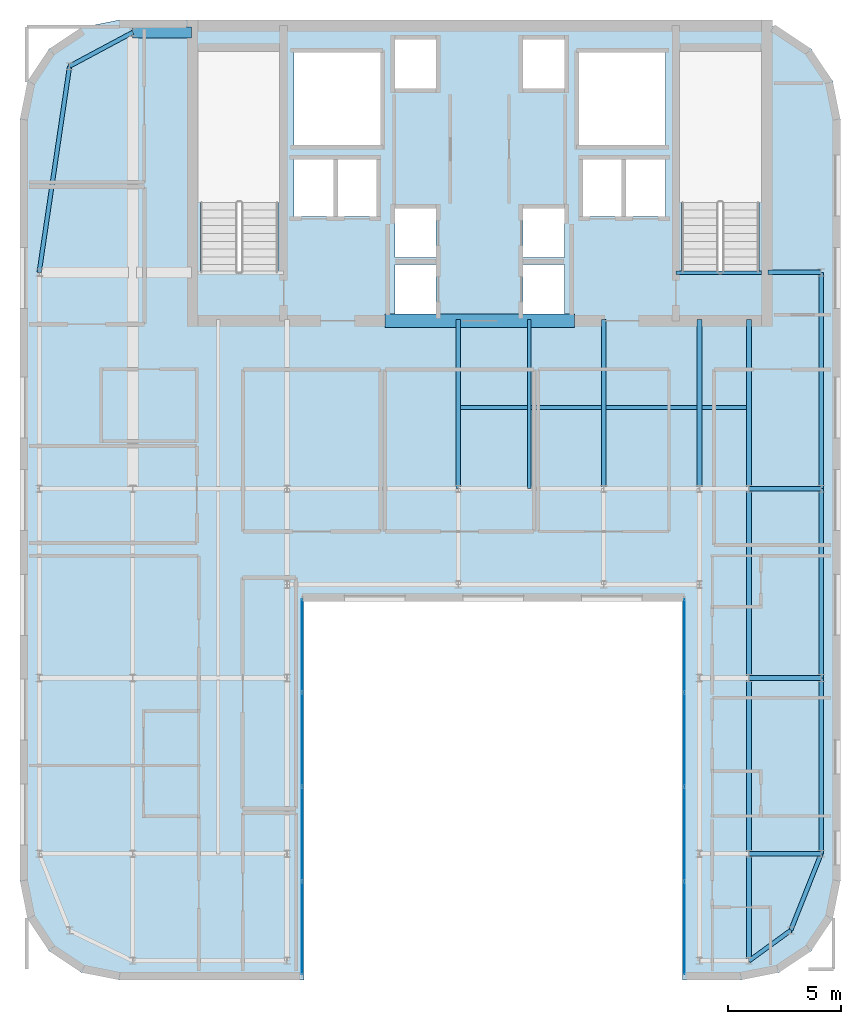
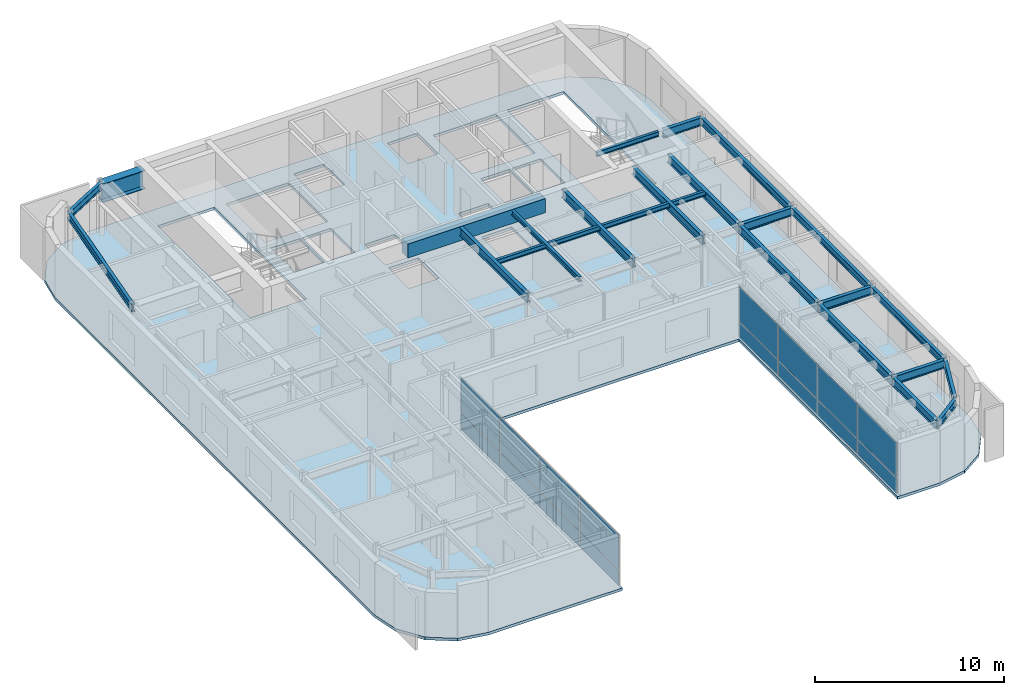
# One storey, part 12 of 18: 23 beams, 16 plates, 1 slab, 2 elements without a shape of their own.
"""IFC4 building model written with IfcOpenShell, lengths in metres."""

import ifcopenshell
import ifcopenshell.guid

model = None  # the IFC model being written
_history = None  # IfcOwnerHistory: only IFC2X3 demands one
_inside = {}  # id of a spatial element -> (the spatial element, [elements in it])
_under = {}  # id of a project, library or spatial element -> (it, [spatial elements below it])
_declared = {}  # id of a project -> (the project, [libraries it declares])
_typed = {}  # id of a type object -> (the type object, [elements of that type])
_made_of = {}  # id of a material, layer set ... -> (it, [elements and type objects made of it])


def new_model(schema):
    """Start an empty IFC model of exactly this schema.

    Asked for "IFC4X3", IfcOpenShell would pick the latest addendum, in which some entities
    have other attributes; the version numbers below select the first issue.
    IFC2X3 requires an IfcOwnerHistory on every rooted entity: one is made here for all.
    """
    global model, _history
    if schema == "IFC4X3":
        model = ifcopenshell.file(schema_version=(4, 3, 0, 0))
    else:
        model = ifcopenshell.file(schema=schema)
    _inside.clear()
    _under.clear()
    _declared.clear()
    _typed.clear()
    _made_of.clear()
    _history = None
    if model.schema == "IFC2X3":
        org = make("IfcOrganization", Name="unknown")
        user = make(
            "IfcPersonAndOrganization",
            ThePerson=make("IfcPerson", FamilyName="unknown"),
            TheOrganization=org,
        )
        app = make(
            "IfcApplication",
            ApplicationDeveloper=org,
            Version="unknown",
            ApplicationFullName="unknown",
            ApplicationIdentifier="unknown",
        )
        _history = make(
            "IfcOwnerHistory",
            OwningUser=user,
            OwningApplication=app,
            ChangeAction="ADDED",
            CreationDate=0,
        )
    return model


def make(cls, **values):
    """One entity of the class cls with the attributes given. An attribute that is None is left unset."""
    return model.create_entity(
        cls, **{name: value for name, value in values.items() if value is not None}
    )


def rooted(cls, **values):
    """An entity with a GlobalId (a new one), such as an element, a storey or a relation."""
    return make(cls, GlobalId=ifcopenshell.guid.new(), OwnerHistory=_history, **values)


def si_unit(unit_type, name, prefix=None):
    """IfcSIUnit, for example si_unit("LENGTHUNIT", "METRE", prefix="MILLI")."""
    return make("IfcSIUnit", UnitType=unit_type, Prefix=prefix, Name=name)


def assignment(units):
    """IfcUnitAssignment: the units of a project."""
    return None if units is None else make("IfcUnitAssignment", Units=units)


def point(xyz):
    """IfcCartesianPoint."""
    return None if xyz is None else make("IfcCartesianPoint", Coordinates=xyz)


def direction(xyz):
    """IfcDirection."""
    return None if xyz is None else make("IfcDirection", DirectionRatios=xyz)


def frame(location, z_axis=None, x_axis=None):
    """IfcAxis2Placement3D, a coordinate frame: its origin and axes. An axis left out is left unset."""
    return make(
        "IfcAxis2Placement3D",
        Location=point(location),
        Axis=direction(z_axis),
        RefDirection=direction(x_axis),
    )


def frame_2d(location, x_axis=None):
    """IfcAxis2Placement2D, a coordinate frame in the plane: its origin and x axis."""
    return make(
        "IfcAxis2Placement2D", Location=point(location), RefDirection=direction(x_axis)
    )


def origin():
    """The frame at (0, 0, 0) with its axes left unset."""
    return frame((0.0, 0.0, 0.0))


def origin_2d():
    """The frame at (0, 0) in the plane with its x axis left unset."""
    return frame_2d((0.0, 0.0))


def place(relative_to, where):
    """IfcLocalPlacement: puts the frame where relative to a parent placement (None: the world)."""
    return make(
        "IfcLocalPlacement", PlacementRelTo=relative_to, RelativePlacement=where
    )


def context(
    kind, dimensions, precision=None, world=None, true_north=None, identifier=None
):
    """IfcGeometricRepresentationContext, for example the 3D "Model" context."""
    return make(
        "IfcGeometricRepresentationContext",
        ContextIdentifier=identifier,
        ContextType=kind,
        CoordinateSpaceDimension=dimensions,
        Precision=precision,
        WorldCoordinateSystem=world,
        TrueNorth=true_north,
    )


def subcontext(parent, identifier, kind, view, scale=None):
    """IfcGeometricRepresentationSubContext, for example "Body" below "Model"."""
    return make(
        "IfcGeometricRepresentationSubContext",
        ContextIdentifier=identifier,
        ContextType=kind,
        ParentContext=parent,
        TargetScale=scale,
        TargetView=view,
    )


def project(units=None, contexts=None):
    """IfcProject with its units and contexts."""
    return rooted(
        "IfcProject",
        Name="project",
        RepresentationContexts=contexts,
        UnitsInContext=assignment(units),
    )


def spatial(cls, under=None, at=None, **own):
    """A site, building, storey or space (cls), placed at a placement, below another one or the project."""
    s = rooted(cls, ObjectPlacement=at, **own)
    if under is not None:
        _under.setdefault(under.id(), (under, []))[1].append(s)
    return s


def polyline(points):
    """IfcPolyline through the points."""
    return make("IfcPolyline", Points=[point(p) for p in points])


def profile(cls, at=None, kind="AREA", **sizes):
    """A parametric profile (cls). Its sizes go by their IFC names, for example OverallWidth=200.0."""
    return make(cls, ProfileType=kind, Position=at, **sizes)


def rectangle(**sizes):
    """IfcRectangleProfileDef."""
    return profile("IfcRectangleProfileDef", **sizes)


def i_section(**sizes):
    """IfcIShapeProfileDef."""
    return profile("IfcIShapeProfileDef", **sizes)


def outline(outer, holes=None, kind="AREA"):
    """IfcArbitraryClosedProfileDef: a profile drawn as a closed curve; with holes, ...WithVoids."""
    if holes is None:
        return make("IfcArbitraryClosedProfileDef", ProfileType=kind, OuterCurve=outer)
    return make(
        "IfcArbitraryProfileDefWithVoids",
        ProfileType=kind,
        OuterCurve=outer,
        InnerCurves=holes,
    )


def extrude(swept, where, along, depth):
    """IfcExtrudedAreaSolid: the profile swept, set in the frame where, extruded along a direction by depth."""
    return make(
        "IfcExtrudedAreaSolid",
        SweptArea=swept,
        Position=where,
        ExtrudedDirection=direction(along),
        Depth=depth,
    )


def shape(context_of_items, identifier, shape_type, items):
    """IfcShapeRepresentation: the items that make up one representation, for example the "Body"."""
    return make(
        "IfcShapeRepresentation",
        ContextOfItems=context_of_items,
        RepresentationIdentifier=identifier,
        RepresentationType=shape_type,
        Items=items,
    )


def source(mapping_origin, context_of_items, identifier, shape_type, items):
    """IfcRepresentationMap: a shape defined once, which mapped items show again and again."""
    return make(
        "IfcRepresentationMap",
        MappingOrigin=mapping_origin,
        MappedRepresentation=shape(context_of_items, identifier, shape_type, items),
    )


def transform(
    local_origin,
    x_axis=None,
    y_axis=None,
    z_axis=None,
    scale=None,
    scale2=None,
    scale3=None,
    uniform=True,
):
    """IfcCartesianTransformationOperator3D, or its non-uniform kind. x_axis, y_axis, z_axis: its Axis1, 2, 3."""
    if uniform:
        return make(
            "IfcCartesianTransformationOperator3D",
            Axis1=direction(x_axis),
            Axis2=direction(y_axis),
            LocalOrigin=point(local_origin),
            Scale=scale,
            Axis3=direction(z_axis),
        )
    return make(
        "IfcCartesianTransformationOperator3DnonUniform",
        Axis1=direction(x_axis),
        Axis2=direction(y_axis),
        LocalOrigin=point(local_origin),
        Scale=scale,
        Axis3=direction(z_axis),
        Scale2=scale2,
        Scale3=scale3,
    )


def mapped(mapping_source, mapping_target):
    """IfcMappedItem: shows the shape of a source again, moved by a transform."""
    return make(
        "IfcMappedItem", MappingSource=mapping_source, MappingTarget=mapping_target
    )


def material(Name=None, Category=None):
    """IfcMaterial."""
    return make("IfcMaterial", Name=Name, Category=Category)


def layer(
    of_material, thickness, ventilated=None, Name=None, Category=None, Priority=None
):
    """IfcMaterialLayer: one layer of a wall or slab, of a material (None: an air gap)."""
    return make(
        "IfcMaterialLayer",
        Material=of_material,
        LayerThickness=thickness,
        IsVentilated=ventilated,
        Name=Name,
        Category=Category,
        Priority=Priority,
    )


def layer_set(layers, Name=None):
    """IfcMaterialLayerSet."""
    return make("IfcMaterialLayerSet", MaterialLayers=layers, LayerSetName=Name)


def material_profile(
    of_material, cross_section, Name=None, Category=None, Priority=None
):
    """IfcMaterialProfile: a cross section and its material."""
    return make(
        "IfcMaterialProfile",
        Name=Name,
        Material=of_material,
        Profile=cross_section,
        Priority=Priority,
        Category=Category,
    )


def profile_set(profiles, Name=None, composite=None):
    """IfcMaterialProfileSet."""
    return make(
        "IfcMaterialProfileSet",
        Name=Name,
        MaterialProfiles=profiles,
        CompositeProfile=composite,
    )


def made_of(thing, what):
    """Note that an element or type object is made of a material, layer set ...; save() writes the relation."""
    if what is not None:
        _made_of.setdefault(what.id(), (what, []))[1].append(thing)
    return thing


def type_object(cls, material=None, **own):
    """A type object (cls), such as IfcWallType, which elements share."""
    return made_of(rooted(cls, **own), material)


def type_shapes(of_type, sources):
    """Give a type object the sources (RepresentationMaps) that its elements show as mapped items."""
    of_type.RepresentationMaps = sources


def element(
    cls,
    number,
    at=None,
    inside=None,
    cuts=None,
    type_object=None,
    material=None,
    context=None,
    identifier="Body",
    shape_type=None,
    held_by="IfcProductDefinitionShape",
    body=None,
    shapes=None,
    **own,
):
    """One element of the class cls, such as IfcWall. Its Tag is "e" and its number.

    at: its placement. inside: the storey or other place that contains it. cuts: it is an
    opening in that element (IfcRelVoidsElement). A single representation is given by context,
    identifier, shape_type and body (its items); several are given by shapes. held_by: the class
    of the entity that holds the representations. save() writes the other relations.
    """
    e = rooted(cls, Tag="e%d" % number, ObjectPlacement=at, **own)
    if body is not None:
        shapes = [shape(context, identifier, shape_type, body)]
    if shapes is not None:
        e.Representation = make(held_by, Representations=shapes)
    if inside is not None:
        _inside.setdefault(inside.id(), (inside, []))[1].append(e)
    if cuts is not None:
        rooted(
            "IfcRelVoidsElement", RelatingBuildingElement=cuts, RelatedOpeningElement=e
        )
    if type_object is not None:
        _typed.setdefault(type_object.id(), (type_object, []))[1].append(e)
    return made_of(e, material)


def aggregate(whole, parts):
    """IfcRelAggregates: a whole, such as a stair, and the parts it consists of."""
    return rooted("IfcRelAggregates", RelatingObject=whole, RelatedObjects=parts)


def save(model, path):
    """Write the relations noted so far, then the file.

    IfcRelAggregates (storeys below a building ...), IfcRelContainedInSpatialStructure (elements
    in a storey), IfcRelDefinesByType, IfcRelAssociatesMaterial and IfcRelDeclares: one each for
    every whole, place, type object, material and project.
    """
    for whole, parts in _under.values():
        aggregate(whole, parts)
    for where, things in _inside.values():
        rooted(
            "IfcRelContainedInSpatialStructure",
            RelatedElements=things,
            RelatingStructure=where,
        )
    for kind, things in _typed.values():
        rooted("IfcRelDefinesByType", RelatedObjects=things, RelatingType=kind)
    for what, things in _made_of.values():
        rooted("IfcRelAssociatesMaterial", RelatedObjects=things, RelatingMaterial=what)
    for by, libraries in _declared.values():
        rooted("IfcRelDeclares", RelatingContext=by, RelatedDefinitions=libraries)
    model.write(path)


model = new_model("IFC4")

# Units and contexts
model_context = context("Model", 3, precision=1e-05, world=origin(), true_north=direction((0.0, 1.0)))
body_context = subcontext(model_context, "Body", "Model", "MODEL_VIEW")
ifc_project = project(units=[si_unit("LENGTHUNIT", "METRE"), si_unit("AREAUNIT", "SQUARE_METRE"), si_unit("VOLUMEUNIT", "CUBIC_METRE"), si_unit("PLANEANGLEUNIT", "RADIAN"), si_unit("MASSUNIT", "GRAM", prefix="KILO")], contexts=[model_context])

# Site, building, storey
site_placement = place(None, origin())
site = spatial("IfcSite", under=ifc_project, at=site_placement, CompositionType="ELEMENT")
building_placement = place(site_placement, origin())
building = spatial("IfcBuilding", under=site, at=building_placement, Name="Tolvann Quenvar Hotel", CompositionType="ELEMENT")
storey_placement = place(building_placement, frame((0.0, 0.0, 259.39990234375)))
storey = spatial("IfcBuildingStorey", under=building, at=storey_placement, Name="L69", CompositionType="ELEMENT", Elevation=259.39990234375)

# Beams
ifc_material_1 = material(Name="Concrete N50 (50 MPa)", Category="concrete")
ifc_material_profile_1 = material_profile(ifc_material_1, rectangle(XDim=0.60009765625, YDim=0.89990234375, at=origin_2d()), Name="RC600x900")
ifc_profile_set_1 = profile_set([ifc_material_profile_1], Name="Concrete N50 (50 MPa)")
beam_type_1 = type_object("IfcBeamType", Name="BM_LINT_RC600x900", PredefinedType="LINTEL", material=ifc_profile_set_1)
shared_shape_1 = source(origin(), body_context, "Body", "SweptSolid", [
    extrude(rectangle(XDim=0.60009765625, YDim=0.89990234375, at=origin_2d()), origin(), (0.0, 0.0, 1.0), 8.39990234375),
])
type_shapes(beam_type_1, [shared_shape_1])
beam_1_placement = place(storey_placement, frame((18.800048828125, 31.85009765625, 2.920166015625), z_axis=(1.0, 0.0, 0.0), x_axis=(0.0, 1.0, 0.0)))
element("IfcBeam", 1, at=beam_1_placement, inside=storey, type_object=beam_type_1, Name="Core Coupling Lintel Beam (L69)", PredefinedType="LINTEL", context=body_context, shape_type="MappedRepresentation", body=[
    mapped(shared_shape_1, transform((0.0, 0.0, 0.0), x_axis=(1.0, 0.0, 0.0), y_axis=(0.0, 1.0, 0.0), z_axis=(0.0, 0.0, 1.0), scale=1.0)),
])
ifc_material_2 = material(Name="Steel Grade 350", Category="steel")
ifc_material_profile_2 = material_profile(ifc_material_2, i_section(OverallWidth=0.208984375, OverallDepth=0.532958984375, WebThickness=0.01025390625, FlangeThickness=0.015625, FilletRadius=0.013916015625, at=origin_2d()), Name="530UB92")
ifc_profile_set_2 = profile_set([ifc_material_profile_2], Name="Steel Grade 350")
beam_type_2 = type_object("IfcBeamType", Name="BM_GIRD_530UB92", PredefinedType="BEAM", material=ifc_profile_set_2)
shared_shape_2 = source(origin(), body_context, "Body", "SweptSolid", [
    extrude(i_section(OverallWidth=0.208984375, OverallDepth=0.532958984375, WebThickness=0.01025390625, FlangeThickness=0.015625, FilletRadius=0.013916015625, at=origin_2d()), origin(), (0.0, 0.0, 1.0), 7.800048828125),
])
beam_2_placement = place(storey_placement, frame((34.949951171875, 8.199951171875, 3.103515625), z_axis=(0.0, 1.0, 0.0), x_axis=(-1.0, 0.0, 0.0)))
element("IfcBeam", 2, at=beam_2_placement, inside=storey, type_object=beam_type_2, Name="BM-L69-NS-F3-F4", PredefinedType="BEAM", context=body_context, shape_type="MappedRepresentation", body=[
    mapped(shared_shape_2, transform((0.0, 0.0, 0.0), x_axis=(1.0, 0.0, 0.0), y_axis=(0.0, 1.0, 0.0), z_axis=(0.0, 0.0, 1.0), scale=1.0)),
])
shared_shape_3 = source(origin(), body_context, "Body", "SweptSolid", [
    extrude(i_section(OverallWidth=0.208984375, OverallDepth=0.532958984375, WebThickness=0.01025390625, FlangeThickness=0.015625, FilletRadius=0.013916015625, at=origin_2d()), origin(), (0.0, 0.0, 1.0), 8.39990234375),
])
beam_3_placement = place(storey_placement, frame((34.949951171875, 16.0, 3.103515625), z_axis=(0.0, 1.0, 0.0), x_axis=(-1.0, 0.0, 0.0)))
element("IfcBeam", 3, at=beam_3_placement, inside=storey, type_object=beam_type_2, Name="BM-L69-NS-F4-F5", PredefinedType="BEAM", context=body_context, shape_type="MappedRepresentation", body=[
    mapped(shared_shape_3, transform((0.0, 0.0, 0.0), x_axis=(1.0, 0.0, 0.0), y_axis=(0.0, 1.0, 0.0), z_axis=(0.0, 0.0, 1.0), scale=1.0)),
])
ifc_material_profile_3 = material_profile(ifc_material_2, i_section(OverallWidth=0.5, OverallDepth=1.199951171875, WebThickness=0.01611328125, FlangeThickness=0.0400390625, at=origin_2d()), Name="1200WB455")
ifc_profile_set_3 = profile_set([ifc_material_profile_3], Name="Steel Grade 350")
beam_type_3 = type_object("IfcBeamType", Name="BM_TG_1200WB455", PredefinedType="USERDEFINED", material=ifc_profile_set_3)
shared_shape_4 = source(origin(), body_context, "Body", "SweptSolid", [
    extrude(i_section(OverallWidth=0.5, OverallDepth=1.199951171875, WebThickness=0.01611328125, FlangeThickness=0.0400390625, at=origin_2d()), origin(), (0.0, 0.0, 1.0), 2.599853515625),
])
type_shapes(beam_type_3, [shared_shape_4])
beam_4_placement = place(storey_placement, frame((7.60009765625, 44.64990234375, 2.77001953125), z_axis=(1.0, 0.0, 0.0), x_axis=(0.0, 1.0, 0.0)))
element("IfcBeam", 4, at=beam_4_placement, inside=storey, type_object=beam_type_3, Name="BM-L69-CTW-CN", ObjectType="TRANSFER GIRDER", PredefinedType="USERDEFINED", context=body_context, shape_type="MappedRepresentation", body=[
    mapped(shared_shape_4, transform((0.0, 0.0, 0.0), x_axis=(1.0, 0.0, 0.0), y_axis=(0.0, 1.0, 0.0), z_axis=(0.0, 0.0, 1.0), scale=1.0)),
])
ifc_material_profile_4 = material_profile(ifc_material_2, i_section(OverallWidth=0.166015625, OverallDepth=0.306884765625, WebThickness=0.006591796875, FlangeThickness=0.01171875, FilletRadius=0.011474609375, at=origin_2d()), Name="310UB46")
ifc_profile_set_4 = profile_set([ifc_material_profile_4], Name="Steel Grade 350")
beam_type_4 = type_object("IfcBeamType", Name="BM_JOIST_310UB46", PredefinedType="JOIST", material=ifc_profile_set_4)
shared_shape_5 = source(origin(), body_context, "Body", "SweptSolid", [
    extrude(i_section(OverallWidth=0.166015625, OverallDepth=0.306884765625, WebThickness=0.006591796875, FlangeThickness=0.01171875, FilletRadius=0.011474609375, at=origin_2d()), origin(), (0.0, 0.0, 1.0), 3.800048828125),
])
beam_5_placement = place(storey_placement, frame((31.699951171875, 33.97998046875, 3.216552734375), z_axis=(1.0, 0.0, 0.0), x_axis=(0.0, 1.0, 0.0)))
element("IfcBeam", 5, at=beam_5_placement, inside=storey, type_object=beam_type_4, Name="BM-HDR-STC2-L70", PredefinedType="JOIST", context=body_context, shape_type="MappedRepresentation", body=[
    mapped(shared_shape_5, transform((0.0, 0.0, 0.0), x_axis=(1.0, 0.0, 0.0), y_axis=(0.0, 1.0, 0.0), z_axis=(0.0, 0.0, 1.0), scale=1.0)),
])
shared_shape_6 = source(origin(), body_context, "Body", "SweptSolid", [
    extrude(i_section(OverallWidth=0.208984375, OverallDepth=0.532958984375, WebThickness=0.01025390625, FlangeThickness=0.015625, FilletRadius=0.013916015625, at=origin_2d()), origin(), (0.0, 0.0, 1.0), 4.75),
])
beam_6_placement = place(storey_placement, frame((34.949951171875, 3.449951171875, 3.103515625), z_axis=(0.0, 1.0, 0.0), x_axis=(-1.0, 0.0, 0.0)))
element("IfcBeam", 6, at=beam_6_placement, inside=storey, type_object=beam_type_2, Name="BM-L69-NS-F2-F3", PredefinedType="BEAM", context=body_context, shape_type="MappedRepresentation", body=[
    mapped(shared_shape_6, transform((0.0, 0.0, 0.0), x_axis=(1.0, 0.0, 0.0), y_axis=(0.0, 1.0, 0.0), z_axis=(0.0, 0.0, 1.0), scale=1.0)),
])
ifc_material_profile_5 = material_profile(ifc_material_2, i_section(OverallWidth=0.19091796875, OverallDepth=0.4599609375, WebThickness=0.010009765625, FlangeThickness=0.01611328125, FilletRadius=0.011474609375, at=origin_2d()), Name="460UB82")
ifc_profile_set_5 = profile_set([ifc_material_profile_5], Name="Steel Grade 350")
beam_type_5 = type_object("IfcBeamType", Name="BM_SPAND_460UB82", PredefinedType="SPANDREL", material=ifc_profile_set_5)
shared_shape_7 = source(origin(), body_context, "Body", "SweptSolid", [
    extrude(i_section(OverallWidth=0.19091796875, OverallDepth=0.4599609375, WebThickness=0.010009765625, FlangeThickness=0.01611328125, FilletRadius=0.011474609375, at=origin_2d()), origin(), (0.0, 0.0, 1.0), 7.800048828125),
])
beam_7_placement = place(storey_placement, frame((38.14990234375, 8.199951171875, 3.14013671875), z_axis=(0.0, 1.0, 0.0), x_axis=(-1.0, 0.0, 0.0)))
element("IfcBeam", 7, at=beam_7_placement, inside=storey, type_object=beam_type_5, Name="BM-L69-NS-G3-G4", PredefinedType="SPANDREL", context=body_context, shape_type="MappedRepresentation", body=[
    mapped(shared_shape_7, transform((0.0, 0.0, 0.0), x_axis=(1.0, 0.0, 0.0), y_axis=(0.0, 1.0, 0.0), z_axis=(0.0, 0.0, 1.0), scale=1.0)),
])
shared_shape_8 = source(origin(), body_context, "Body", "SweptSolid", [
    extrude(i_section(OverallWidth=0.19091796875, OverallDepth=0.4599609375, WebThickness=0.010009765625, FlangeThickness=0.01611328125, FilletRadius=0.011474609375, at=origin_2d()), origin(), (0.0, 0.0, 1.0), 8.39990234375),
])
beam_8_placement = place(storey_placement, frame((38.14990234375, 16.0, 3.14013671875), z_axis=(0.0, 1.0, 0.0), x_axis=(-1.0, 0.0, 0.0)))
element("IfcBeam", 8, at=beam_8_placement, inside=storey, type_object=beam_type_5, Name="BM-L69-NS-G4-G5", PredefinedType="SPANDREL", context=body_context, shape_type="MappedRepresentation", body=[
    mapped(shared_shape_8, transform((0.0, 0.0, 0.0), x_axis=(1.0, 0.0, 0.0), y_axis=(0.0, 1.0, 0.0), z_axis=(0.0, 0.0, 1.0), scale=1.0)),
])
shared_shape_9 = source(origin(), body_context, "Body", "SweptSolid", [
    extrude(i_section(OverallWidth=0.19091796875, OverallDepth=0.4599609375, WebThickness=0.010009765625, FlangeThickness=0.01611328125, FilletRadius=0.011474609375, at=origin_2d()), origin(), (0.0, 0.0, 1.0), 3.657958984375),
])
beam_9_placement = place(storey_placement, frame((36.800048828125, 4.800048828125, 3.14013671875), z_axis=(0.369007513371, 0.929426411867, 0.0), x_axis=(-0.929426411867, 0.369007513371, 0.0)))
element("IfcBeam", 9, at=beam_9_placement, inside=storey, type_object=beam_type_5, Name="BM-L69-NS-G2-G3", PredefinedType="SPANDREL", context=body_context, shape_type="MappedRepresentation", body=[
    mapped(shared_shape_9, transform((0.0, 0.0, 0.0), x_axis=(1.0, 0.0, 0.0), y_axis=(0.0, 1.0, 0.0), z_axis=(0.0, 0.0, 1.0), scale=1.0)),
])
shared_shape_10 = source(origin(), body_context, "Body", "SweptSolid", [
    extrude(i_section(OverallWidth=0.19091796875, OverallDepth=0.4599609375, WebThickness=0.010009765625, FlangeThickness=0.01611328125, FilletRadius=0.011474609375, at=origin_2d()), origin(), (0.0, 0.0, 1.0), 9.60009765625),
])
beam_10_placement = place(storey_placement, frame((38.14990234375, 24.39990234375, 3.14013671875), z_axis=(0.0, 1.0, 0.0), x_axis=(-1.0, 0.0, 0.0)))
element("IfcBeam", 10, at=beam_10_placement, inside=storey, type_object=beam_type_5, Name="BM-L69-FLK-G1", PredefinedType="SPANDREL", context=body_context, shape_type="MappedRepresentation", body=[
    mapped(shared_shape_10, transform((0.0, 0.0, 0.0), x_axis=(1.0, 0.0, 0.0), y_axis=(0.0, 1.0, 0.0), z_axis=(0.0, 0.0, 1.0), scale=1.0)),
])
shared_shape_11 = source(origin(), body_context, "Body", "SweptSolid", [
    extrude(i_section(OverallWidth=0.19091796875, OverallDepth=0.4599609375, WebThickness=0.010009765625, FlangeThickness=0.01611328125, FilletRadius=0.011474609375, at=origin_2d()), origin(), (0.0, 0.0, 1.0), 9.2490234375),
])
beam_11_placement = place(storey_placement, frame((3.449951171875, 34.0, 3.14013671875), z_axis=(0.145972731602, 0.989288613918, 0.0), x_axis=(-0.989288613918, 0.145972731602, 0.0)))
element("IfcBeam", 11, at=beam_11_placement, inside=storey, type_object=beam_type_5, Name="BM-L69-FLK-W2", PredefinedType="SPANDREL", context=body_context, shape_type="MappedRepresentation", body=[
    mapped(shared_shape_11, transform((0.0, 0.0, 0.0), x_axis=(1.0, 0.0, 0.0), y_axis=(0.0, 1.0, 0.0), z_axis=(0.0, 0.0, 1.0), scale=1.0)),
])
shared_shape_12 = source(origin(), body_context, "Body", "SweptSolid", [
    extrude(i_section(OverallWidth=0.19091796875, OverallDepth=0.4599609375, WebThickness=0.010009765625, FlangeThickness=0.01611328125, FilletRadius=0.011474609375, at=origin_2d()), origin(), (0.0, 0.0, 1.0), 3.176513671875),
])
beam_12_placement = place(storey_placement, frame((4.800048828125, 43.14990234375, 3.14013671875), z_axis=(0.881483397762, 0.472215014025, 0.0), x_axis=(-0.472215014025, 0.881483397762, 0.0)))
element("IfcBeam", 12, at=beam_12_placement, inside=storey, type_object=beam_type_5, Name="BM-L69-FLK-W3", PredefinedType="SPANDREL", context=body_context, shape_type="MappedRepresentation", body=[
    mapped(shared_shape_12, transform((0.0, 0.0, 0.0), x_axis=(1.0, 0.0, 0.0), y_axis=(0.0, 1.0, 0.0), z_axis=(0.0, 0.0, 1.0), scale=1.0)),
])
shared_shape_13 = source(origin(), body_context, "Body", "SweptSolid", [
    extrude(i_section(OverallWidth=0.166015625, OverallDepth=0.306884765625, WebThickness=0.006591796875, FlangeThickness=0.01171875, FilletRadius=0.011474609375, at=origin_2d()), origin(), (0.0, 0.0, 1.0), 12.89990234375),
])
beam_13_placement = place(storey_placement, frame((22.050048828125, 28.0, 3.216552734375), z_axis=(1.0, 0.0, 0.0), x_axis=(0.0, 1.0, 0.0)))
element("IfcBeam", 13, at=beam_13_placement, inside=storey, type_object=beam_type_4, Name="BM-L69-SPINE-28", PredefinedType="JOIST", context=body_context, shape_type="MappedRepresentation", body=[
    mapped(shared_shape_13, transform((0.0, 0.0, 0.0), x_axis=(1.0, 0.0, 0.0), y_axis=(0.0, 1.0, 0.0), z_axis=(0.0, 0.0, 1.0), scale=1.0)),
])
shared_shape_14 = source(origin(), body_context, "Body", "SweptSolid", [
    extrude(i_section(OverallWidth=0.166015625, OverallDepth=0.306884765625, WebThickness=0.006591796875, FlangeThickness=0.01171875, FilletRadius=0.011474609375, at=origin_2d()), origin(), (0.0, 0.0, 1.0), 7.5),
])
type_shapes(beam_type_4, [shared_shape_5, shared_shape_13, shared_shape_14])
beam_14_placement = place(storey_placement, frame((25.199951171875, 24.39990234375, 3.216552734375), z_axis=(0.0, 1.0, 0.0), x_axis=(-1.0, 0.0, 0.0)))
element("IfcBeam", 14, at=beam_14_placement, inside=storey, type_object=beam_type_4, Name="BJ-L69-252-244", PredefinedType="JOIST", context=body_context, shape_type="MappedRepresentation", body=[
    mapped(shared_shape_14, transform((0.0, 0.0, 0.0), x_axis=(1.0, 0.0, 0.0), y_axis=(0.0, 1.0, 0.0), z_axis=(0.0, 0.0, 1.0), scale=1.0)),
])
shared_shape_15 = source(origin(), body_context, "Body", "SweptSolid", [
    extrude(i_section(OverallWidth=0.19091796875, OverallDepth=0.4599609375, WebThickness=0.010009765625, FlangeThickness=0.01611328125, FilletRadius=0.011474609375, at=origin_2d()), origin(), (0.0, 0.0, 1.0), 2.290283203125),
])
type_shapes(beam_type_5, [shared_shape_7, shared_shape_8, shared_shape_9, shared_shape_10, shared_shape_11, shared_shape_12, shared_shape_15])
beam_15_placement = place(storey_placement, frame((34.949951171875, 3.449951171875, 3.14013671875), z_axis=(0.807785460512, 0.589476589684, 0.0), x_axis=(-0.589476589684, 0.807785460512, 0.0)))
element("IfcBeam", 15, at=beam_15_placement, inside=storey, type_object=beam_type_5, Name="BM-L69-EW-2-F2-G2", PredefinedType="SPANDREL", context=body_context, shape_type="MappedRepresentation", body=[
    mapped(shared_shape_15, transform((0.0, 0.0, 0.0), x_axis=(1.0, 0.0, 0.0), y_axis=(0.0, 1.0, 0.0), z_axis=(0.0, 0.0, 1.0), scale=1.0)),
])
shared_shape_16 = source(origin(), body_context, "Body", "SweptSolid", [
    extrude(i_section(OverallWidth=0.208984375, OverallDepth=0.532958984375, WebThickness=0.01025390625, FlangeThickness=0.015625, FilletRadius=0.013916015625, at=origin_2d()), origin(), (0.0, 0.0, 1.0), 3.199951171875),
])
for number, where, z_axis, x_axis, name in (
    (16, (34.949951171875, 8.199951171875, 3.103515625), (1.0, 0.0, 0.0), (0.0, 1.0, 0.0), "BM-L69-EW-3-F3-G3"),
    (17, (34.949951171875, 16.0, 3.103515625), (1.0, 0.0, 0.0), (0.0, 1.0, 0.0), "BM-L69-EW-4-F4-G4"),
    (18, (34.949951171875, 24.39990234375, 3.103515625), (1.0, 0.0, 0.0), (0.0, 1.0, 0.0), "BM-L69-EW-5-F5-G5"),
):
    element("IfcBeam", number, at=place(storey_placement, frame(where, z_axis=z_axis, x_axis=x_axis)), inside=storey, type_object=beam_type_2, Name=name, PredefinedType="BEAM", context=body_context, shape_type="MappedRepresentation", body=[
        mapped(shared_shape_16, transform((0.0, 0.0, 0.0), x_axis=(1.0, 0.0, 0.0), y_axis=(0.0, 1.0, 0.0), z_axis=(0.0, 0.0, 1.0), scale=1.0)),
    ])
shared_shape_17 = source(origin(), body_context, "Body", "SweptSolid", [
    extrude(i_section(OverallWidth=0.208984375, OverallDepth=0.532958984375, WebThickness=0.01025390625, FlangeThickness=0.015625, FilletRadius=0.013916015625, at=origin_2d()), origin(), (0.0, 0.0, 1.0), 7.5),
])
for number, where, z_axis, x_axis, name in (
    (19, (22.050048828125, 24.39990234375, 3.103515625), (0.0, 1.0, 0.0), (-1.0, 0.0, 0.0), "BM-L69-CORE-E5"),
    (20, (34.949951171875, 24.39990234375, 3.103515625), (0.0, 1.0, 0.0), (-1.0, 0.0, 0.0), "BM-L69-CORE-F5"),
    (21, (32.75, 24.39990234375, 3.103515625), (0.0, 1.0, 0.0), (-1.0, 0.0, 0.0), "BM-L69-CORE-FP5"),
    (22, (28.5, 24.39990234375, 3.103515625), (0.0, 1.0, 0.0), (-1.0, 0.0, 0.0), "BM-L69-CORE-M5"),
):
    element("IfcBeam", number, at=place(storey_placement, frame(where, z_axis=z_axis, x_axis=x_axis)), inside=storey, type_object=beam_type_2, Name=name, PredefinedType="BEAM", context=body_context, shape_type="MappedRepresentation", body=[
        mapped(shared_shape_17, transform((0.0, 0.0, 0.0), x_axis=(1.0, 0.0, 0.0), y_axis=(0.0, 1.0, 0.0), z_axis=(0.0, 0.0, 1.0), scale=1.0)),
    ])
shared_shape_18 = source(origin(), body_context, "Body", "SweptSolid", [
    extrude(i_section(OverallWidth=0.208984375, OverallDepth=0.532958984375, WebThickness=0.01025390625, FlangeThickness=0.015625, FilletRadius=0.013916015625, at=origin_2d()), origin(), (0.0, 0.0, 1.0), 2.349853515625),
])
type_shapes(beam_type_2, [shared_shape_2, shared_shape_3, shared_shape_6, shared_shape_16, shared_shape_17, shared_shape_18])
beam_16_placement = place(storey_placement, frame((35.800048828125, 34.0, 3.103515625), z_axis=(1.0, 0.0, 0.0), x_axis=(0.0, 1.0, 0.0)))
element("IfcBeam", 23, at=beam_16_placement, inside=storey, type_object=beam_type_2, Name="BM-L69-CTE-GD6", PredefinedType="BEAM", context=body_context, shape_type="MappedRepresentation", body=[
    mapped(shared_shape_18, transform((0.0, 0.0, 0.0), x_axis=(1.0, 0.0, 0.0), y_axis=(0.0, 1.0, 0.0), z_axis=(0.0, 0.0, 1.0), scale=1.0)),
])

# Slab
ifc_material_3 = material(Name="Concrete N40 (40 MPa)", Category="concrete")
ifc_layer_1 = layer(ifc_material_3, 0.179931640625)
ifc_layer_set_1 = layer_set([ifc_layer_1], Name="Concrete N40 (40 MPa)")
slab_type = type_object("IfcSlabType", Name="SLAB_TWR_180", PredefinedType="FLOOR", material=ifc_layer_set_1)
slab_placement = place(storey_placement, frame((0.0, 0.0, -0.179931640625)))
element("IfcSlab", 24, at=slab_placement, inside=storey, type_object=slab_type, Name="Level L69 Structural Floor Slab", PredefinedType="FLOOR", context=body_context, shape_type="SweptSolid", body=[
    extrude(outline(polyline([(2.60009765625, 7.0), (2.934814453125, 5.316162109375), (3.888671875, 3.888671875), (5.316162109375, 2.934814453125), (7.0, 2.60009765625), (15.199951171875, 2.60009765625), (15.199951171875, 19.39990234375), (32.0, 19.39990234375), (32.0, 2.60009765625), (34.60009765625, 2.60009765625), (36.28369140625, 2.934814453125), (37.711181640625, 3.888671875), (38.6650390625, 5.316162109375), (39.0, 7.0), (39.0, 40.800048828125), (38.6650390625, 42.48388671875), (37.711181640625, 43.911376953125), (36.28369140625, 44.864990234375), (34.60009765625, 45.199951171875), (7.0, 45.199951171875), (5.316162109375, 44.864990234375), (3.888671875, 43.911376953125), (2.934814453125, 42.48388671875), (2.60009765625, 40.800048828125), (2.60009765625, 7.0)]), holes=[polyline([(31.949951171875, 34.02490234375), (31.949951171875, 43.800048828125), (35.39990234375, 43.800048828125), (35.39990234375, 34.02490234375), (31.949951171875, 34.02490234375)]), polyline([(27.39990234375, 43.75), (31.25, 43.75), (31.25, 39.64990234375), (27.39990234375, 39.64990234375), (27.39990234375, 43.75)]), polyline([(29.449951171875, 39.02001953125), (31.25, 39.02001953125), (31.25, 36.47998046875), (29.449951171875, 36.47998046875), (29.449951171875, 39.02001953125)]), polyline([(27.574951171875, 39.02001953125), (29.324951171875, 39.02001953125), (29.324951171875, 36.47998046875), (27.574951171875, 36.47998046875), (27.574951171875, 39.02001953125)]), polyline([(24.929931640625, 36.840087890625), (26.77001953125, 36.840087890625), (26.77001953125, 34.659912109375), (24.929931640625, 34.659912109375), (24.929931640625, 36.840087890625)]), polyline([(24.929931640625, 44.340087890625), (26.77001953125, 44.340087890625), (26.77001953125, 42.159912109375), (24.929931640625, 42.159912109375), (24.929931640625, 44.340087890625)]), polyline([(24.929931640625, 32.159912109375), (24.929931640625, 34.340087890625), (26.77001953125, 34.340087890625), (26.77001953125, 32.159912109375), (24.929931640625, 32.159912109375)]), polyline([(19.22998046875, 36.840087890625), (21.070068359375, 36.840087890625), (21.070068359375, 34.659912109375), (19.22998046875, 34.659912109375), (19.22998046875, 36.840087890625)]), polyline([(19.22998046875, 44.340087890625), (21.070068359375, 44.340087890625), (21.070068359375, 42.159912109375), (19.22998046875, 42.159912109375), (19.22998046875, 44.340087890625)]), polyline([(19.22998046875, 32.159912109375), (19.22998046875, 34.340087890625), (21.070068359375, 34.340087890625), (21.070068359375, 32.159912109375), (19.22998046875, 32.159912109375)]), polyline([(14.75, 43.75), (18.60009765625, 43.75), (18.60009765625, 39.64990234375), (14.75, 39.64990234375), (14.75, 43.75)]), polyline([(16.675048828125, 39.02001953125), (18.425048828125, 39.02001953125), (18.425048828125, 36.47998046875), (16.675048828125, 36.47998046875), (16.675048828125, 39.02001953125)]), polyline([(14.75, 39.02001953125), (16.550048828125, 39.02001953125), (16.550048828125, 36.47998046875), (14.75, 36.47998046875), (14.75, 39.02001953125)]), polyline([(10.60009765625, 34.02490234375), (10.60009765625, 43.800048828125), (14.050048828125, 43.800048828125), (14.050048828125, 34.02490234375), (10.60009765625, 34.02490234375)])]), origin(), (0.0, 0.0, 1.0), 0.179931640625),
])

# Curtain wall, plates
ifc_material_4 = material(Name="Thermally broken anodised architectural aluminium 6063-T6 and laminated low-E glass", Category="aluminium")
ifc_layer_2 = layer(ifc_material_4, 0.179931640625)
ifc_layer_set_2 = layer_set([ifc_layer_2], Name="Thermally broken anodised architectural aluminium 6063-T6 and laminated low-E glass")
curtain_wall_type = type_object("IfcCurtainWallType", Name="CW_SYS_PORTAL_05", PredefinedType="USERDEFINED", material=ifc_layer_set_2)
curtain_wall_1_placement = place(storey_placement, origin())
curtain_wall_1 = element("IfcCurtainWall", 25, at=curtain_wall_1_placement, inside=storey, type_object=curtain_wall_type, Name="Curtain Wall CW-PORTAL-05 (CWR-L69-E05)", ObjectType="UNITISED CURTAIN WALL", PredefinedType="USERDEFINED")
ifc_material_5 = material(Name="Low-iron laminated double glazing with solar-control coating", Category="glass")
ifc_layer_3 = layer(ifc_material_5, 0.028076171875)
ifc_layer_set_3 = layer_set([ifc_layer_3], Name="Low-iron laminated double glazing with solar-control coating")
plate_type = type_object("IfcPlateType", Name="CW_PAN_VISION_28", PredefinedType="CURTAIN_PANEL", material=ifc_layer_set_3)
shared_shape_19 = source(origin(), body_context, "Body", "SweptSolid", [
    extrude(rectangle(XDim=4.094970703125, YDim=0.028076171875, at=origin_2d()), origin(), (0.0, 0.0, 1.0), 0.9599609375),
])
plate_1_placement = place(storey_placement, frame((15.110107421875, 4.892578125, 0.06005859375), z_axis=(0.0, 0.0, 1.0), x_axis=(0.0, 1.0, 0.0)))
plate_1 = element("IfcPlate", 26, at=plate_1_placement, type_object=plate_type, Name="CW-PORTAL-05 panel 1.1", PredefinedType="CURTAIN_PANEL", context=body_context, shape_type="MappedRepresentation", body=[
    mapped(shared_shape_19, transform((0.0, 0.0, 0.0), x_axis=(1.0, 0.0, 0.0), y_axis=(0.0, 1.0, 0.0), z_axis=(0.0, 0.0, 1.0), scale=1.0)),
])
plate_2_placement = place(storey_placement, frame((15.110107421875, 17.45751953125, 0.06005859375), z_axis=(0.0, 0.0, 1.0), x_axis=(0.0, 1.0, 0.0)))
plate_2 = element("IfcPlate", 27, at=plate_2_placement, type_object=plate_type, Name="CW-PORTAL-05 panel 4.1", PredefinedType="CURTAIN_PANEL", context=body_context, shape_type="MappedRepresentation", body=[
    mapped(shared_shape_19, transform((0.0, 0.0, 0.0), x_axis=(1.0, 0.0, 0.0), y_axis=(0.0, 1.0, 0.0), z_axis=(0.0, 0.0, 1.0), scale=1.0)),
])

curtain_wall_2_placement = place(storey_placement, origin())
curtain_wall_2 = element("IfcCurtainWall", 28, at=curtain_wall_2_placement, inside=storey, type_object=curtain_wall_type, Name="Curtain Wall CW-PORTAL-05 (CWR-L69-E07)", ObjectType="UNITISED CURTAIN WALL", PredefinedType="USERDEFINED")
plate_3_placement = place(storey_placement, frame((32.090087890625, 17.45751953125, 0.06005859375), z_axis=(0.0, 0.0, 1.0), x_axis=(0.0, -1.0, 0.0)))
plate_3 = element("IfcPlate", 29, at=plate_3_placement, type_object=plate_type, Name="CW-PORTAL-05 panel 1.1", PredefinedType="CURTAIN_PANEL", context=body_context, shape_type="MappedRepresentation", body=[
    mapped(shared_shape_19, transform((0.0, 0.0, 0.0), x_axis=(1.0, 0.0, 0.0), y_axis=(0.0, 1.0, 0.0), z_axis=(0.0, 0.0, 1.0), scale=1.0)),
])
plate_4_placement = place(storey_placement, frame((32.090087890625, 4.892578125, 0.06005859375), z_axis=(0.0, 0.0, 1.0), x_axis=(0.0, -1.0, 0.0)))
plate_4 = element("IfcPlate", 30, at=plate_4_placement, type_object=plate_type, Name="CW-PORTAL-05 panel 4.1", PredefinedType="CURTAIN_PANEL", context=body_context, shape_type="MappedRepresentation", body=[
    mapped(shared_shape_19, transform((0.0, 0.0, 0.0), x_axis=(1.0, 0.0, 0.0), y_axis=(0.0, 1.0, 0.0), z_axis=(0.0, 0.0, 1.0), scale=1.0)),
])

# Plate
shared_shape_20 = source(origin(), body_context, "Body", "SweptSolid", [
    extrude(rectangle(XDim=4.094970703125, YDim=0.028076171875, at=origin_2d()), origin(), (0.0, 0.0, 1.0), 2.22998046875),
])
plate_5_placement = place(storey_placement, frame((15.110107421875, 4.892578125, 1.080078125), z_axis=(0.0, 0.0, 1.0), x_axis=(0.0, 1.0, 0.0)))
plate_5 = element("IfcPlate", 31, at=plate_5_placement, type_object=plate_type, Name="CW-PORTAL-05 panel 1.2", PredefinedType="CURTAIN_PANEL", context=body_context, shape_type="MappedRepresentation", body=[
    mapped(shared_shape_20, transform((0.0, 0.0, 0.0), x_axis=(1.0, 0.0, 0.0), y_axis=(0.0, 1.0, 0.0), z_axis=(0.0, 0.0, 1.0), scale=1.0)),
])

plate_6_placement = place(storey_placement, frame((15.110107421875, 17.45751953125, 1.080078125), z_axis=(0.0, 0.0, 1.0), x_axis=(0.0, 1.0, 0.0)))
plate_6 = element("IfcPlate", 32, at=plate_6_placement, type_object=plate_type, Name="CW-PORTAL-05 panel 4.2", PredefinedType="CURTAIN_PANEL", context=body_context, shape_type="MappedRepresentation", body=[
    mapped(shared_shape_20, transform((0.0, 0.0, 0.0), x_axis=(1.0, 0.0, 0.0), y_axis=(0.0, 1.0, 0.0), z_axis=(0.0, 0.0, 1.0), scale=1.0)),
])

plate_7_placement = place(storey_placement, frame((32.090087890625, 17.45751953125, 1.080078125), z_axis=(0.0, 0.0, 1.0), x_axis=(0.0, -1.0, 0.0)))
plate_7 = element("IfcPlate", 33, at=plate_7_placement, type_object=plate_type, Name="CW-PORTAL-05 panel 1.2", PredefinedType="CURTAIN_PANEL", context=body_context, shape_type="MappedRepresentation", body=[
    mapped(shared_shape_20, transform((0.0, 0.0, 0.0), x_axis=(1.0, 0.0, 0.0), y_axis=(0.0, 1.0, 0.0), z_axis=(0.0, 0.0, 1.0), scale=1.0)),
])

plate_8_placement = place(storey_placement, frame((32.090087890625, 4.892578125, 1.080078125), z_axis=(0.0, 0.0, 1.0), x_axis=(0.0, -1.0, 0.0)))
plate_8 = element("IfcPlate", 34, at=plate_8_placement, type_object=plate_type, Name="CW-PORTAL-05 panel 4.2", PredefinedType="CURTAIN_PANEL", context=body_context, shape_type="MappedRepresentation", body=[
    mapped(shared_shape_20, transform((0.0, 0.0, 0.0), x_axis=(1.0, 0.0, 0.0), y_axis=(0.0, 1.0, 0.0), z_axis=(0.0, 0.0, 1.0), scale=1.0)),
])

shared_shape_21 = source(origin(), body_context, "Body", "SweptSolid", [
    extrude(rectangle(XDim=4.1298828125, YDim=0.028076171875, at=origin_2d()), origin(), (0.0, 0.0, 1.0), 0.9599609375),
])
plate_9_placement = place(storey_placement, frame((15.110107421875, 9.074951171875, 0.06005859375), z_axis=(0.0, 0.0, 1.0), x_axis=(0.0, 1.0, 0.0)))
plate_9 = element("IfcPlate", 35, at=plate_9_placement, type_object=plate_type, Name="CW-PORTAL-05 panel 2.1", PredefinedType="CURTAIN_PANEL", context=body_context, shape_type="MappedRepresentation", body=[
    mapped(shared_shape_21, transform((0.0, 0.0, 0.0), x_axis=(1.0, 0.0, 0.0), y_axis=(0.0, 1.0, 0.0), z_axis=(0.0, 0.0, 1.0), scale=1.0)),
])

plate_10_placement = place(storey_placement, frame((15.110107421875, 13.27490234375, 0.06005859375), z_axis=(0.0, 0.0, 1.0), x_axis=(0.0, 1.0, 0.0)))
plate_10 = element("IfcPlate", 36, at=plate_10_placement, type_object=plate_type, Name="CW-PORTAL-05 panel 3.1", PredefinedType="CURTAIN_PANEL", context=body_context, shape_type="MappedRepresentation", body=[
    mapped(shared_shape_21, transform((0.0, 0.0, 0.0), x_axis=(1.0, 0.0, 0.0), y_axis=(0.0, 1.0, 0.0), z_axis=(0.0, 0.0, 1.0), scale=1.0)),
])

plate_11_placement = place(storey_placement, frame((32.090087890625, 13.27490234375, 0.06005859375), z_axis=(0.0, 0.0, 1.0), x_axis=(0.0, -1.0, 0.0)))
plate_11 = element("IfcPlate", 37, at=plate_11_placement, type_object=plate_type, Name="CW-PORTAL-05 panel 2.1", PredefinedType="CURTAIN_PANEL", context=body_context, shape_type="MappedRepresentation", body=[
    mapped(shared_shape_21, transform((0.0, 0.0, 0.0), x_axis=(1.0, 0.0, 0.0), y_axis=(0.0, 1.0, 0.0), z_axis=(0.0, 0.0, 1.0), scale=1.0)),
])

plate_12_placement = place(storey_placement, frame((32.090087890625, 9.074951171875, 0.06005859375), z_axis=(0.0, 0.0, 1.0), x_axis=(0.0, -1.0, 0.0)))
plate_12 = element("IfcPlate", 38, at=plate_12_placement, type_object=plate_type, Name="CW-PORTAL-05 panel 3.1", PredefinedType="CURTAIN_PANEL", context=body_context, shape_type="MappedRepresentation", body=[
    mapped(shared_shape_21, transform((0.0, 0.0, 0.0), x_axis=(1.0, 0.0, 0.0), y_axis=(0.0, 1.0, 0.0), z_axis=(0.0, 0.0, 1.0), scale=1.0)),
])

shared_shape_22 = source(origin(), body_context, "Body", "SweptSolid", [
    extrude(rectangle(XDim=4.1298828125, YDim=0.028076171875, at=origin_2d()), origin(), (0.0, 0.0, 1.0), 2.22998046875),
])
type_shapes(plate_type, [shared_shape_19, shared_shape_20, shared_shape_21, shared_shape_22])
plate_13_placement = place(storey_placement, frame((15.110107421875, 9.074951171875, 1.080078125), z_axis=(0.0, 0.0, 1.0), x_axis=(0.0, 1.0, 0.0)))
plate_13 = element("IfcPlate", 39, at=plate_13_placement, type_object=plate_type, Name="CW-PORTAL-05 panel 2.2", PredefinedType="CURTAIN_PANEL", context=body_context, shape_type="MappedRepresentation", body=[
    mapped(shared_shape_22, transform((0.0, 0.0, 0.0), x_axis=(1.0, 0.0, 0.0), y_axis=(0.0, 1.0, 0.0), z_axis=(0.0, 0.0, 1.0), scale=1.0)),
])

plate_14_placement = place(storey_placement, frame((15.110107421875, 13.27490234375, 1.080078125), z_axis=(0.0, 0.0, 1.0), x_axis=(0.0, 1.0, 0.0)))
plate_14 = element("IfcPlate", 40, at=plate_14_placement, type_object=plate_type, Name="CW-PORTAL-05 panel 3.2", PredefinedType="CURTAIN_PANEL", context=body_context, shape_type="MappedRepresentation", body=[
    mapped(shared_shape_22, transform((0.0, 0.0, 0.0), x_axis=(1.0, 0.0, 0.0), y_axis=(0.0, 1.0, 0.0), z_axis=(0.0, 0.0, 1.0), scale=1.0)),
])

aggregate(curtain_wall_1, [plate_1, plate_5, plate_9, plate_13, plate_10, plate_14, plate_2, plate_6])

plate_15_placement = place(storey_placement, frame((32.090087890625, 13.27490234375, 1.080078125), z_axis=(0.0, 0.0, 1.0), x_axis=(0.0, -1.0, 0.0)))
plate_15 = element("IfcPlate", 41, at=plate_15_placement, type_object=plate_type, Name="CW-PORTAL-05 panel 2.2", PredefinedType="CURTAIN_PANEL", context=body_context, shape_type="MappedRepresentation", body=[
    mapped(shared_shape_22, transform((0.0, 0.0, 0.0), x_axis=(1.0, 0.0, 0.0), y_axis=(0.0, 1.0, 0.0), z_axis=(0.0, 0.0, 1.0), scale=1.0)),
])

plate_16_placement = place(storey_placement, frame((32.090087890625, 9.074951171875, 1.080078125), z_axis=(0.0, 0.0, 1.0), x_axis=(0.0, -1.0, 0.0)))
plate_16 = element("IfcPlate", 42, at=plate_16_placement, type_object=plate_type, Name="CW-PORTAL-05 panel 3.2", PredefinedType="CURTAIN_PANEL", context=body_context, shape_type="MappedRepresentation", body=[
    mapped(shared_shape_22, transform((0.0, 0.0, 0.0), x_axis=(1.0, 0.0, 0.0), y_axis=(0.0, 1.0, 0.0), z_axis=(0.0, 0.0, 1.0), scale=1.0)),
])

aggregate(curtain_wall_2, [plate_3, plate_7, plate_11, plate_15, plate_12, plate_16, plate_4, plate_8])

save(model, "model.ifc")
